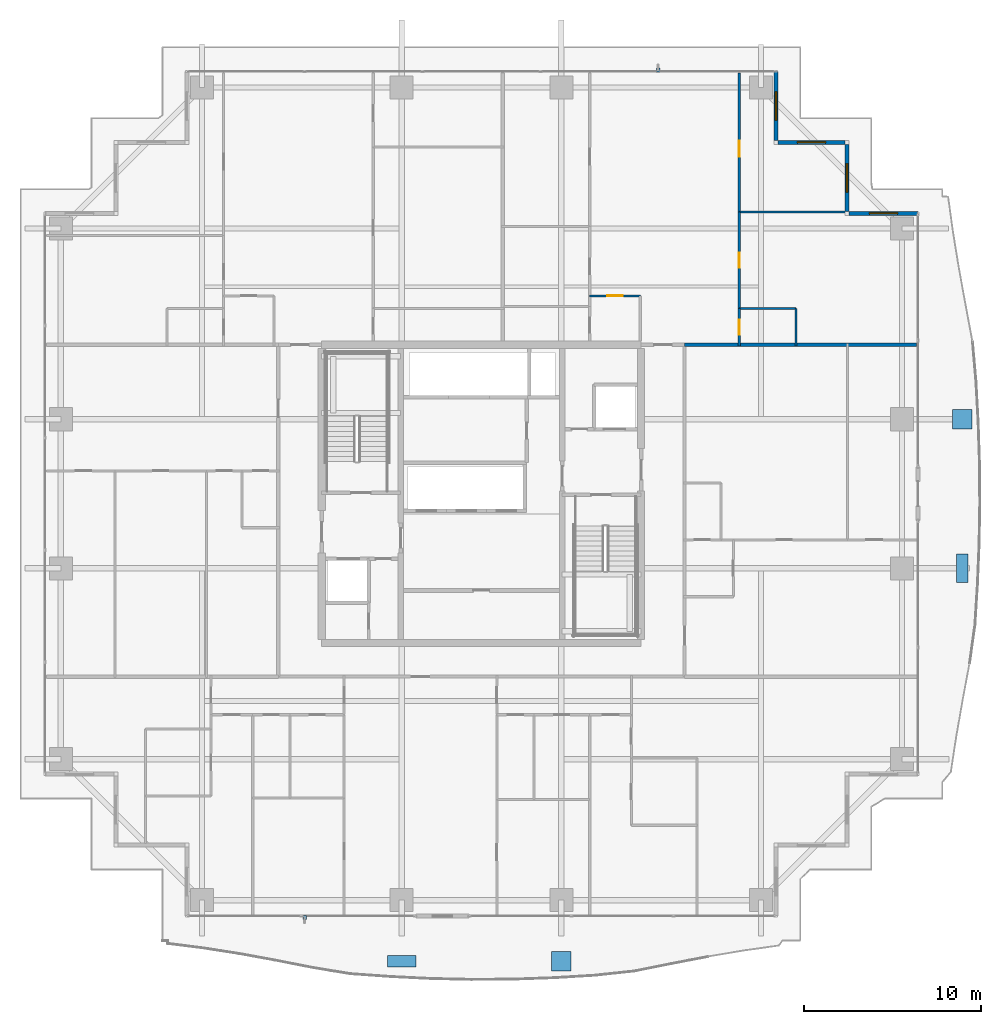
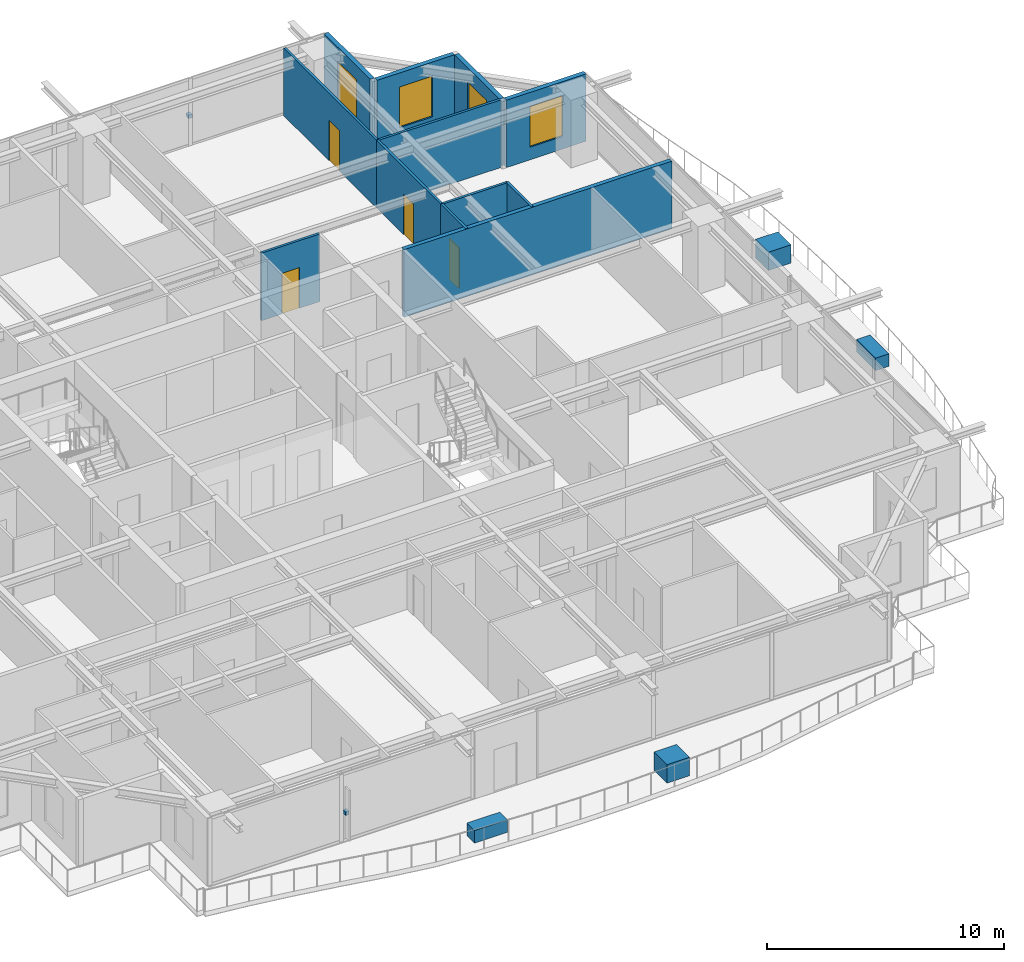
# One storey, part 30 of 36: 12 walls, 6 discrete accessories, 4 doors, 4 windows, 8 openings.
"""IFC4 building model written with IfcOpenShell, lengths in metres."""

import ifcopenshell
import ifcopenshell.guid

model = None  # the IFC model being written
_history = None  # IfcOwnerHistory: only IFC2X3 demands one
_inside = {}  # id of a spatial element -> (the spatial element, [elements in it])
_under = {}  # id of a project, library or spatial element -> (it, [spatial elements below it])
_declared = {}  # id of a project -> (the project, [libraries it declares])
_typed = {}  # id of a type object -> (the type object, [elements of that type])
_made_of = {}  # id of a material, layer set ... -> (it, [elements and type objects made of it])


def new_model(schema):
    """Start an empty IFC model of exactly this schema.

    Asked for "IFC4X3", IfcOpenShell would pick the latest addendum, in which some entities
    have other attributes; the version numbers below select the first issue.
    IFC2X3 requires an IfcOwnerHistory on every rooted entity: one is made here for all.
    """
    global model, _history
    if schema == "IFC4X3":
        model = ifcopenshell.file(schema_version=(4, 3, 0, 0))
    else:
        model = ifcopenshell.file(schema=schema)
    _inside.clear()
    _under.clear()
    _declared.clear()
    _typed.clear()
    _made_of.clear()
    _history = None
    if model.schema == "IFC2X3":
        org = make("IfcOrganization", Name="unknown")
        user = make(
            "IfcPersonAndOrganization",
            ThePerson=make("IfcPerson", FamilyName="unknown"),
            TheOrganization=org,
        )
        app = make(
            "IfcApplication",
            ApplicationDeveloper=org,
            Version="unknown",
            ApplicationFullName="unknown",
            ApplicationIdentifier="unknown",
        )
        _history = make(
            "IfcOwnerHistory",
            OwningUser=user,
            OwningApplication=app,
            ChangeAction="ADDED",
            CreationDate=0,
        )
    return model


def make(cls, **values):
    """One entity of the class cls with the attributes given. An attribute that is None is left unset."""
    return model.create_entity(
        cls, **{name: value for name, value in values.items() if value is not None}
    )


def rooted(cls, **values):
    """An entity with a GlobalId (a new one), such as an element, a storey or a relation."""
    return make(cls, GlobalId=ifcopenshell.guid.new(), OwnerHistory=_history, **values)


def si_unit(unit_type, name, prefix=None):
    """IfcSIUnit, for example si_unit("LENGTHUNIT", "METRE", prefix="MILLI")."""
    return make("IfcSIUnit", UnitType=unit_type, Prefix=prefix, Name=name)


def assignment(units):
    """IfcUnitAssignment: the units of a project."""
    return None if units is None else make("IfcUnitAssignment", Units=units)


def point(xyz):
    """IfcCartesianPoint."""
    return None if xyz is None else make("IfcCartesianPoint", Coordinates=xyz)


def direction(xyz):
    """IfcDirection."""
    return None if xyz is None else make("IfcDirection", DirectionRatios=xyz)


def frame(location, z_axis=None, x_axis=None):
    """IfcAxis2Placement3D, a coordinate frame: its origin and axes. An axis left out is left unset."""
    return make(
        "IfcAxis2Placement3D",
        Location=point(location),
        Axis=direction(z_axis),
        RefDirection=direction(x_axis),
    )


def frame_2d(location, x_axis=None):
    """IfcAxis2Placement2D, a coordinate frame in the plane: its origin and x axis."""
    return make(
        "IfcAxis2Placement2D", Location=point(location), RefDirection=direction(x_axis)
    )


def origin():
    """The frame at (0, 0, 0) with its axes left unset."""
    return frame((0.0, 0.0, 0.0))


def origin_2d():
    """The frame at (0, 0) in the plane with its x axis left unset."""
    return frame_2d((0.0, 0.0))


def place(relative_to, where):
    """IfcLocalPlacement: puts the frame where relative to a parent placement (None: the world)."""
    return make(
        "IfcLocalPlacement", PlacementRelTo=relative_to, RelativePlacement=where
    )


def context(
    kind, dimensions, precision=None, world=None, true_north=None, identifier=None
):
    """IfcGeometricRepresentationContext, for example the 3D "Model" context."""
    return make(
        "IfcGeometricRepresentationContext",
        ContextIdentifier=identifier,
        ContextType=kind,
        CoordinateSpaceDimension=dimensions,
        Precision=precision,
        WorldCoordinateSystem=world,
        TrueNorth=true_north,
    )


def subcontext(parent, identifier, kind, view, scale=None):
    """IfcGeometricRepresentationSubContext, for example "Body" below "Model"."""
    return make(
        "IfcGeometricRepresentationSubContext",
        ContextIdentifier=identifier,
        ContextType=kind,
        ParentContext=parent,
        TargetScale=scale,
        TargetView=view,
    )


def project(units=None, contexts=None):
    """IfcProject with its units and contexts."""
    return rooted(
        "IfcProject",
        Name="project",
        RepresentationContexts=contexts,
        UnitsInContext=assignment(units),
    )


def spatial(cls, under=None, at=None, **own):
    """A site, building, storey or space (cls), placed at a placement, below another one or the project."""
    s = rooted(cls, ObjectPlacement=at, **own)
    if under is not None:
        _under.setdefault(under.id(), (under, []))[1].append(s)
    return s


def profile(cls, at=None, kind="AREA", **sizes):
    """A parametric profile (cls). Its sizes go by their IFC names, for example OverallWidth=200.0."""
    return make(cls, ProfileType=kind, Position=at, **sizes)


def rectangle(**sizes):
    """IfcRectangleProfileDef."""
    return profile("IfcRectangleProfileDef", **sizes)


def extrude(swept, where, along, depth):
    """IfcExtrudedAreaSolid: the profile swept, set in the frame where, extruded along a direction by depth."""
    return make(
        "IfcExtrudedAreaSolid",
        SweptArea=swept,
        Position=where,
        ExtrudedDirection=direction(along),
        Depth=depth,
    )


def shape(context_of_items, identifier, shape_type, items):
    """IfcShapeRepresentation: the items that make up one representation, for example the "Body"."""
    return make(
        "IfcShapeRepresentation",
        ContextOfItems=context_of_items,
        RepresentationIdentifier=identifier,
        RepresentationType=shape_type,
        Items=items,
    )


def source(mapping_origin, context_of_items, identifier, shape_type, items):
    """IfcRepresentationMap: a shape defined once, which mapped items show again and again."""
    return make(
        "IfcRepresentationMap",
        MappingOrigin=mapping_origin,
        MappedRepresentation=shape(context_of_items, identifier, shape_type, items),
    )


def transform(
    local_origin,
    x_axis=None,
    y_axis=None,
    z_axis=None,
    scale=None,
    scale2=None,
    scale3=None,
    uniform=True,
):
    """IfcCartesianTransformationOperator3D, or its non-uniform kind. x_axis, y_axis, z_axis: its Axis1, 2, 3."""
    if uniform:
        return make(
            "IfcCartesianTransformationOperator3D",
            Axis1=direction(x_axis),
            Axis2=direction(y_axis),
            LocalOrigin=point(local_origin),
            Scale=scale,
            Axis3=direction(z_axis),
        )
    return make(
        "IfcCartesianTransformationOperator3DnonUniform",
        Axis1=direction(x_axis),
        Axis2=direction(y_axis),
        LocalOrigin=point(local_origin),
        Scale=scale,
        Axis3=direction(z_axis),
        Scale2=scale2,
        Scale3=scale3,
    )


def mapped(mapping_source, mapping_target):
    """IfcMappedItem: shows the shape of a source again, moved by a transform."""
    return make(
        "IfcMappedItem", MappingSource=mapping_source, MappingTarget=mapping_target
    )


def material(Name=None, Category=None):
    """IfcMaterial."""
    return make("IfcMaterial", Name=Name, Category=Category)


def layer(
    of_material, thickness, ventilated=None, Name=None, Category=None, Priority=None
):
    """IfcMaterialLayer: one layer of a wall or slab, of a material (None: an air gap)."""
    return make(
        "IfcMaterialLayer",
        Material=of_material,
        LayerThickness=thickness,
        IsVentilated=ventilated,
        Name=Name,
        Category=Category,
        Priority=Priority,
    )


def layer_set(layers, Name=None):
    """IfcMaterialLayerSet."""
    return make("IfcMaterialLayerSet", MaterialLayers=layers, LayerSetName=Name)


def made_of(thing, what):
    """Note that an element or type object is made of a material, layer set ...; save() writes the relation."""
    if what is not None:
        _made_of.setdefault(what.id(), (what, []))[1].append(thing)
    return thing


def type_object(cls, material=None, **own):
    """A type object (cls), such as IfcWallType, which elements share."""
    return made_of(rooted(cls, **own), material)


def element(
    cls,
    number,
    at=None,
    inside=None,
    cuts=None,
    type_object=None,
    material=None,
    context=None,
    identifier="Body",
    shape_type=None,
    held_by="IfcProductDefinitionShape",
    body=None,
    shapes=None,
    **own,
):
    """One element of the class cls, such as IfcWall. Its Tag is "e" and its number.

    at: its placement. inside: the storey or other place that contains it. cuts: it is an
    opening in that element (IfcRelVoidsElement). A single representation is given by context,
    identifier, shape_type and body (its items); several are given by shapes. held_by: the class
    of the entity that holds the representations. save() writes the other relations.
    """
    e = rooted(cls, Tag="e%d" % number, ObjectPlacement=at, **own)
    if body is not None:
        shapes = [shape(context, identifier, shape_type, body)]
    if shapes is not None:
        e.Representation = make(held_by, Representations=shapes)
    if inside is not None:
        _inside.setdefault(inside.id(), (inside, []))[1].append(e)
    if cuts is not None:
        rooted(
            "IfcRelVoidsElement", RelatingBuildingElement=cuts, RelatedOpeningElement=e
        )
    if type_object is not None:
        _typed.setdefault(type_object.id(), (type_object, []))[1].append(e)
    return made_of(e, material)


def fill(opening, filler):
    """IfcRelFillsElement: the door or window that sits in an opening."""
    return rooted(
        "IfcRelFillsElement",
        RelatingOpeningElement=opening,
        RelatedBuildingElement=filler,
    )


def aggregate(whole, parts):
    """IfcRelAggregates: a whole, such as a stair, and the parts it consists of."""
    return rooted("IfcRelAggregates", RelatingObject=whole, RelatedObjects=parts)


def save(model, path):
    """Write the relations noted so far, then the file.

    IfcRelAggregates (storeys below a building ...), IfcRelContainedInSpatialStructure (elements
    in a storey), IfcRelDefinesByType, IfcRelAssociatesMaterial and IfcRelDeclares: one each for
    every whole, place, type object, material and project.
    """
    for whole, parts in _under.values():
        aggregate(whole, parts)
    for where, things in _inside.values():
        rooted(
            "IfcRelContainedInSpatialStructure",
            RelatedElements=things,
            RelatingStructure=where,
        )
    for kind, things in _typed.values():
        rooted("IfcRelDefinesByType", RelatedObjects=things, RelatingType=kind)
    for what, things in _made_of.values():
        rooted("IfcRelAssociatesMaterial", RelatedObjects=things, RelatingMaterial=what)
    for by, libraries in _declared.values():
        rooted("IfcRelDeclares", RelatingContext=by, RelatedDefinitions=libraries)
    model.write(path)


model = new_model("IFC4")

# Units and contexts
model_context = context("Model", 3, precision=1e-05, world=origin(), true_north=direction((0.0, 1.0)))
body_context = subcontext(model_context, "Body", "Model", "MODEL_VIEW")
ifc_project = project(units=[si_unit("LENGTHUNIT", "METRE"), si_unit("AREAUNIT", "SQUARE_METRE"), si_unit("VOLUMEUNIT", "CUBIC_METRE"), si_unit("PLANEANGLEUNIT", "RADIAN"), si_unit("MASSUNIT", "GRAM", prefix="KILO")], contexts=[model_context])

# Site, building, storey
site_placement = place(None, origin())
site = spatial("IfcSite", under=ifc_project, at=site_placement, CompositionType="ELEMENT")
building_placement = place(site_placement, origin())
building = spatial("IfcBuilding", under=site, at=building_placement, Name="Serunith Strait Residences", CompositionType="ELEMENT")
storey_placement = place(building_placement, frame((0.0, 0.0, 146.39990234375)))
storey = spatial("IfcBuildingStorey", under=building, at=storey_placement, Name="L36", CompositionType="ELEMENT", Elevation=146.39990234375)

# Wall, opening, window
ifc_material_1 = material(Name="Pale-Champagne Aluminium Insulated Panel", Category="aluminium")
ifc_layer_1 = layer(ifc_material_1, 0.219970703125, Name="Pale-Champagne Aluminium Insulated Panel")
ifc_layer_set_1 = layer_set([ifc_layer_1], Name="Pale-Champagne Aluminium Insulated Panel")
wall_type_1 = type_object("IfcWallType", Name="EW-ALUM-220", PredefinedType="ELEMENTEDWALL", material=ifc_layer_set_1)
wall_1_placement = place(storey_placement, frame((57.0, 41.0, 0.0), z_axis=(0.0, 0.0, 1.0), x_axis=(-1.0, 0.0, 0.0)))
wall_1 = element("IfcWall", 1, at=wall_1_placement, inside=storey, type_object=wall_type_1, Name="L36 Girih Serrated Corner Wall 07", PredefinedType="ELEMENTEDWALL", context=body_context, shape_type="SweptSolid", body=[
    extrude(rectangle(XDim=3.889892578125, YDim=0.219970703125, at=frame_2d((1.94482421875, 0.0))), origin(), (0.0, 0.0, 1.0), 3.47509765625),
])
opening_1_placement = place(wall_1_placement, frame((1.14501953125, 0.0, 0.64990234375)))
opening_1 = element("IfcOpeningElement", 2, at=opening_1_placement, cuts=wall_1, Name="Opening W-02", PredefinedType="OPENING", context=body_context, shape_type="SweptSolid", body=[
    extrude(rectangle(XDim=1.60009765625, YDim=2.10009765625, at=frame_2d((0.800048828125, 1.050048828125))), frame((0.0, 0.1201171875, 0.0), z_axis=(0.0, -1.0, 0.0), x_axis=(1.0, 0.0, 0.0)), (0.0, 0.0, 1.0), 0.239990234375),
])
ifc_material_2 = material(Name="Ceramic-Fritted Operable Aluminium Window Glass", Category="aluminium")
window_type = type_object("IfcWindowType", Name="WIN-C2", PartitioningType="DOUBLE_PANEL_VERTICAL", PredefinedType="WINDOW", material=ifc_material_2)
shared_shape_1 = source(origin(), body_context, "Body", "SweptSolid", [
    extrude(rectangle(XDim=1.60009765625, YDim=2.10009765625, at=frame_2d((0.800048828125, 1.050048828125))), frame((0.0, 0.030029296875, 0.0), z_axis=(0.0, -1.0, 0.0), x_axis=(1.0, 0.0, 0.0)), (0.0, 0.0, 1.0), 0.06005859375),
])
window_1_placement = place(opening_1_placement, origin())
window_1 = element("IfcWindow", 3, at=window_1_placement, inside=storey, type_object=window_type, Name="L36 Corner Operable Fritted Window 07", OverallHeight=2.10009765625, OverallWidth=1.60009765625, PartitioningType="SINGLE_PANEL", PredefinedType="WINDOW", context=body_context, shape_type="MappedRepresentation", body=[
    mapped(shared_shape_1, transform((0.0, 0.0, 0.0), scale=1.0)),
])
fill(opening_1, window_1)

wall_2_placement = place(storey_placement, frame((53.0, 41.110107421875, 0.0), z_axis=(0.0, 0.0, 1.0), x_axis=(0.0, 1.0, 0.0)))
wall_2 = element("IfcWall", 4, at=wall_2_placement, inside=storey, type_object=wall_type_1, Name="L36 Girih Serrated Corner Wall 08", PredefinedType="ELEMENTEDWALL", context=body_context, shape_type="SweptSolid", body=[
    extrude(rectangle(XDim=3.77978515625, YDim=0.219970703125, at=frame_2d((1.889892578125, 0.0))), origin(), (0.0, 0.0, 1.0), 3.47509765625),
])
opening_2_placement = place(wall_2_placement, frame((1.090087890625, 0.0, 0.64990234375)))
opening_2 = element("IfcOpeningElement", 5, at=opening_2_placement, cuts=wall_2, Name="Opening W-02", PredefinedType="OPENING", context=body_context, shape_type="SweptSolid", body=[
    extrude(rectangle(XDim=1.60009765625, YDim=2.10009765625, at=frame_2d((0.800048828125, 1.050048828125))), frame((0.0, 0.1201171875, 0.0), z_axis=(0.0, -1.0, 0.0), x_axis=(1.0, 0.0, 0.0)), (0.0, 0.0, 1.0), 0.239990234375),
])
window_2_placement = place(opening_2_placement, origin())
window_2 = element("IfcWindow", 6, at=window_2_placement, inside=storey, type_object=window_type, Name="L36 Corner Operable Fritted Window 08", OverallHeight=2.10009765625, OverallWidth=1.60009765625, PartitioningType="SINGLE_PANEL", PredefinedType="WINDOW", context=body_context, shape_type="MappedRepresentation", body=[
    mapped(shared_shape_1, transform((0.0, 0.0, 0.0), scale=1.0)),
])
fill(opening_2, window_2)

wall_3_placement = place(storey_placement, frame((52.889892578125, 45.0, 0.0), z_axis=(0.0, 0.0, 1.0), x_axis=(-1.0, 0.0, 0.0)))
wall_3 = element("IfcWall", 7, at=wall_3_placement, inside=storey, type_object=wall_type_1, Name="L36 Girih Serrated Corner Wall 09", PredefinedType="ELEMENTEDWALL", context=body_context, shape_type="SweptSolid", body=[
    extrude(rectangle(XDim=3.77978515625, YDim=0.219970703125, at=frame_2d((1.889892578125, 0.0))), origin(), (0.0, 0.0, 1.0), 3.47509765625),
])
opening_3_placement = place(wall_3_placement, frame((1.090087890625, 0.0, 0.64990234375)))
opening_3 = element("IfcOpeningElement", 8, at=opening_3_placement, cuts=wall_3, Name="Opening W-02", PredefinedType="OPENING", context=body_context, shape_type="SweptSolid", body=[
    extrude(rectangle(XDim=1.60009765625, YDim=2.10009765625, at=frame_2d((0.800048828125, 1.050048828125))), frame((0.0, 0.1201171875, 0.0), z_axis=(0.0, -1.0, 0.0), x_axis=(1.0, 0.0, 0.0)), (0.0, 0.0, 1.0), 0.239990234375),
])
window_3_placement = place(opening_3_placement, origin())
window_3 = element("IfcWindow", 9, at=window_3_placement, inside=storey, type_object=window_type, Name="L36 Corner Operable Fritted Window 09", OverallHeight=2.10009765625, OverallWidth=1.60009765625, PartitioningType="SINGLE_PANEL", PredefinedType="WINDOW", context=body_context, shape_type="MappedRepresentation", body=[
    mapped(shared_shape_1, transform((0.0, 0.0, 0.0), scale=1.0)),
])
fill(opening_3, window_3)

wall_4_placement = place(storey_placement, frame((49.0, 45.110107421875, 0.0), z_axis=(0.0, 0.0, 1.0), x_axis=(0.0, 1.0, 0.0)))
wall_4 = element("IfcWall", 10, at=wall_4_placement, inside=storey, type_object=wall_type_1, Name="L36 Girih Serrated Corner Wall 10", PredefinedType="ELEMENTEDWALL", context=body_context, shape_type="SweptSolid", body=[
    extrude(rectangle(XDim=3.889892578125, YDim=0.219970703125, at=frame_2d((1.94482421875, 0.0))), origin(), (0.0, 0.0, 1.0), 3.47509765625),
])
opening_4_placement = place(wall_4_placement, frame((1.14501953125, 0.0, 0.64990234375)))
opening_4 = element("IfcOpeningElement", 11, at=opening_4_placement, cuts=wall_4, Name="Opening W-02", PredefinedType="OPENING", context=body_context, shape_type="SweptSolid", body=[
    extrude(rectangle(XDim=1.60009765625, YDim=2.10009765625, at=frame_2d((0.800048828125, 1.050048828125))), frame((0.0, 0.1201171875, 0.0), z_axis=(0.0, -1.0, 0.0), x_axis=(1.0, 0.0, 0.0)), (0.0, 0.0, 1.0), 0.239990234375),
])
window_4_placement = place(opening_4_placement, origin())
window_4 = element("IfcWindow", 12, at=window_4_placement, inside=storey, type_object=window_type, Name="L36 Corner Operable Fritted Window 10", OverallHeight=2.10009765625, OverallWidth=1.60009765625, PartitioningType="SINGLE_PANEL", PredefinedType="WINDOW", context=body_context, shape_type="MappedRepresentation", body=[
    mapped(shared_shape_1, transform((0.0, 0.0, 0.0), scale=1.0)),
])
fill(opening_4, window_4)

# Wall, opening, door
ifc_material_3 = material(Name="Lightweight steel-stud gypsum partition", Category="steel")
ifc_layer_2 = layer(ifc_material_3, 0.1201171875, Name="Lightweight steel-stud gypsum partition")
ifc_layer_set_2 = layer_set([ifc_layer_2], Name="Lightweight steel-stud gypsum partition")
wall_type_2 = type_object("IfcWallType", Name="IW-PART-120", PredefinedType="PARTITIONING", material=ifc_layer_set_2)
wall_5_placement = place(storey_placement, frame((38.5, 36.35009765625, 0.0), z_axis=(0.0, 0.0, 1.0), x_axis=(1.0, 0.0, 0.0)))
wall_5 = element("IfcWall", 13, at=wall_5_placement, inside=storey, type_object=wall_type_2, Name="L36 Partition Wall 068", PredefinedType="PARTITIONING", context=body_context, shape_type="SweptSolid", body=[
    extrude(rectangle(XDim=2.85009765625, YDim=0.1201171875, at=frame_2d((1.425048828125, 0.0))), origin(), (0.0, 0.0, 1.0), 3.489990234375),
])
opening_5_placement = place(wall_5_placement, frame((1.0, 0.0, 0.0)))
opening_5 = element("IfcOpeningElement", 14, at=opening_5_placement, cuts=wall_5, Name="Opening D-RM850", PredefinedType="OPENING", context=body_context, shape_type="SweptSolid", body=[
    extrude(rectangle(XDim=0.85009765625, YDim=2.10009765625, at=frame_2d((0.425048828125, 1.050048828125))), frame((0.0, 0.070068359375, 0.0), z_axis=(0.0, -1.0, 0.0), x_axis=(1.0, 0.0, 0.0)), (0.0, 0.0, 1.0), 0.14013671875),
])
ifc_material_4 = material(Name="Engineered timber flush study and kitchen door", Category="wood")
door_type_1 = type_object("IfcDoorType", Name="ID-ROOM-850", OperationType="NOTDEFINED", PredefinedType="DOOR", material=ifc_material_4)
shared_shape_2 = source(origin(), body_context, "Body", "SweptSolid", [
    extrude(rectangle(XDim=0.85009765625, YDim=2.10009765625, at=frame_2d((0.425048828125, 1.050048828125))), frame((0.0, 0.02490234375, 0.0), z_axis=(0.0, -1.0, 0.0), x_axis=(1.0, 0.0, 0.0)), (0.0, 0.0, 1.0), 0.050048828125),
])
door_1_placement = place(opening_5_placement, origin())
door_1 = element("IfcDoor", 15, at=door_1_placement, inside=storey, type_object=door_type_1, Name="L36 Kitchen 3603 Door", OperationType="SINGLE_SWING_LEFT", OverallHeight=2.10009765625, OverallWidth=0.85009765625, PredefinedType="DOOR", context=body_context, shape_type="MappedRepresentation", body=[
    mapped(shared_shape_2, transform((0.0, 0.0, 0.0), scale=1.0)),
])
fill(opening_5, door_1)

wall_6_placement = place(storey_placement, frame((46.929931640625, 48.905029296875, 0.0), z_axis=(0.0, 0.0, 1.0), x_axis=(0.0, -1.0, 0.0)))
wall_6 = element("IfcWall", 16, at=wall_6_placement, inside=storey, type_object=wall_type_2, Name="L36 Partition Wall 075", PredefinedType="PARTITIONING", context=body_context, shape_type="SweptSolid", body=[
    extrude(rectangle(XDim=7.830078125, YDim=0.1201171875, at=frame_2d((3.9150390625, 0.0))), origin(), (0.0, 0.0, 1.0), 3.489990234375),
])
opening_6_placement = place(wall_6_placement, frame((3.81103515625, 0.0, 0.0)))
opening_6 = element("IfcOpeningElement", 17, at=opening_6_placement, cuts=wall_6, Name="Opening D-RM900", PredefinedType="OPENING", context=body_context, shape_type="SweptSolid", body=[
    extrude(rectangle(XDim=0.89990234375, YDim=2.10009765625, at=frame_2d((0.449951171875, 1.050048828125))), frame((0.0, 0.070068359375, 0.0), z_axis=(0.0, -1.0, 0.0), x_axis=(1.0, 0.0, 0.0)), (0.0, 0.0, 1.0), 0.14013671875),
])
ifc_material_5 = material(Name="Engineered timber flush bedroom door", Category="wood")
door_type_2 = type_object("IfcDoorType", Name="ID-ROOM-900", OperationType="NOTDEFINED", PredefinedType="DOOR", material=ifc_material_5)
shared_shape_3 = source(origin(), body_context, "Body", "SweptSolid", [
    extrude(rectangle(XDim=0.89990234375, YDim=2.10009765625, at=frame_2d((0.449951171875, 1.050048828125))), frame((0.0, 0.02490234375, 0.0), z_axis=(0.0, -1.0, 0.0), x_axis=(1.0, 0.0, 0.0)), (0.0, 0.0, 1.0), 0.050048828125),
])
door_2_placement = place(opening_6_placement, origin())
door_2 = element("IfcDoor", 18, at=door_2_placement, inside=storey, type_object=door_type_2, Name="L36 Bedroom 2 3603 Door", OperationType="SINGLE_SWING_LEFT", OverallHeight=2.10009765625, OverallWidth=0.89990234375, PredefinedType="DOOR", context=body_context, shape_type="MappedRepresentation", body=[
    mapped(shared_shape_3, transform((0.0, 0.0, 0.0), scale=1.0)),
])
fill(opening_6, door_2)

# Walls
wall_7_placement = place(storey_placement, frame((46.929931640625, 41.074951171875, 0.0), z_axis=(0.0, 0.0, 1.0), x_axis=(1.0, 0.0, 0.0)))
element("IfcWall", 19, at=wall_7_placement, inside=storey, type_object=wall_type_2, Name="L36 Partition Wall 076", PredefinedType="PARTITIONING", context=body_context, shape_type="SweptSolid", body=[
    extrude(rectangle(XDim=5.97509765625, YDim=0.1201171875, at=frame_2d((2.987548828125, 0.0))), origin(), (0.0, 0.0, 1.0), 3.489990234375),
])
wall_8_placement = place(storey_placement, frame((46.929931640625, 35.64990234375, 0.0), z_axis=(0.0, 0.0, 1.0), x_axis=(1.0, 0.0, 0.0)))
element("IfcWall", 20, at=wall_8_placement, inside=storey, type_object=wall_type_2, Name="L36 Partition Wall 077", PredefinedType="PARTITIONING", context=body_context, shape_type="SweptSolid", body=[
    extrude(rectangle(XDim=3.199951171875, YDim=0.1201171875, at=frame_2d((1.60009765625, 0.0))), origin(), (0.0, 0.0, 1.0), 3.489990234375),
])
wall_9_placement = place(storey_placement, frame((50.1298828125, 35.64990234375, 0.0), z_axis=(0.0, 0.0, 1.0), x_axis=(0.0, -1.0, 0.0)))
element("IfcWall", 21, at=wall_9_placement, inside=storey, type_object=wall_type_2, Name="L36 Partition Wall 078", PredefinedType="PARTITIONING", context=body_context, shape_type="SweptSolid", body=[
    extrude(rectangle(XDim=2.10986328125, YDim=0.1201171875, at=frame_2d((1.054931640625, 0.0))), origin(), (0.0, 0.0, 1.0), 3.489990234375),
])

# Wall, opening, door
wall_10_placement = place(storey_placement, frame((46.929931640625, 41.072998046875, 0.0), z_axis=(0.0, 0.0, 1.0), x_axis=(0.0, -1.0, 0.0)))
wall_10 = element("IfcWall", 22, at=wall_10_placement, inside=storey, type_object=wall_type_2, Name="L36 Partition Wall 079", PredefinedType="PARTITIONING", context=body_context, shape_type="SweptSolid", body=[
    extrude(rectangle(XDim=5.423095703125, YDim=0.1201171875, at=frame_2d((2.71142578125, 0.0))), origin(), (0.0, 0.0, 1.0), 3.489990234375),
])
opening_7_placement = place(wall_10_placement, frame((2.287109375, 0.0, 0.0)))
opening_7 = element("IfcOpeningElement", 23, at=opening_7_placement, cuts=wall_10, Name="Opening D-RM850", PredefinedType="OPENING", context=body_context, shape_type="SweptSolid", body=[
    extrude(rectangle(XDim=0.85009765625, YDim=2.10009765625, at=frame_2d((0.425048828125, 1.050048828125))), frame((0.0, 0.070068359375, 0.0), z_axis=(0.0, -1.0, 0.0), x_axis=(1.0, 0.0, 0.0)), (0.0, 0.0, 1.0), 0.14013671875),
])
door_3_placement = place(opening_7_placement, origin())
door_3 = element("IfcDoor", 24, at=door_3_placement, inside=storey, type_object=door_type_1, Name="L36 Walk-in Wardrobe 3603 Door", OperationType="SINGLE_SWING_RIGHT", OverallHeight=2.10009765625, OverallWidth=0.85009765625, PredefinedType="DOOR", context=body_context, shape_type="MappedRepresentation", body=[
    mapped(shared_shape_2, transform((0.0, 0.0, 0.0), scale=1.0)),
])
fill(opening_7, door_3)

wall_11_placement = place(storey_placement, frame((46.929931640625, 35.64794921875, 0.0), z_axis=(0.0, 0.0, 1.0), x_axis=(0.0, -1.0, 0.0)))
wall_11 = element("IfcWall", 25, at=wall_11_placement, inside=storey, type_object=wall_type_2, Name="L36 Partition Wall 080", PredefinedType="PARTITIONING", context=body_context, shape_type="SweptSolid", body=[
    extrude(rectangle(XDim=2.10791015625, YDim=0.1201171875, at=frame_2d((1.053955078125, 0.0))), origin(), (0.0, 0.0, 1.0), 3.489990234375),
])
opening_8_placement = place(wall_11_placement, frame((0.62890625, 0.0, 0.0)))
opening_8 = element("IfcOpeningElement", 26, at=opening_8_placement, cuts=wall_11, Name="Opening D-BTH850", PredefinedType="OPENING", context=body_context, shape_type="SweptSolid", body=[
    extrude(rectangle(XDim=0.85009765625, YDim=2.10009765625, at=frame_2d((0.425048828125, 1.050048828125))), frame((0.0, 0.070068359375, 0.0), z_axis=(0.0, -1.0, 0.0), x_axis=(1.0, 0.0, 0.0)), (0.0, 0.0, 1.0), 0.14013671875),
])
ifc_material_6 = material(Name="Moisture-resistant timber bathroom door", Category="wood")
door_type_3 = type_object("IfcDoorType", Name="ID-BATH-850", OperationType="NOTDEFINED", PredefinedType="DOOR", material=ifc_material_6)
door_4_placement = place(opening_8_placement, origin())
door_4 = element("IfcDoor", 27, at=door_4_placement, inside=storey, type_object=door_type_3, Name="L36 Bathroom 3603 Door", OperationType="SINGLE_SWING_LEFT", OverallHeight=2.10009765625, OverallWidth=0.85009765625, PredefinedType="DOOR", context=body_context, shape_type="MappedRepresentation", body=[
    mapped(shared_shape_2, transform((0.0, 0.0, 0.0), scale=1.0)),
])
fill(opening_8, door_4)

# Wall
ifc_material_7 = material(Name="Twin-stud acoustic gypsum board partition")
ifc_layer_3 = layer(ifc_material_7, 0.199951171875, Name="Twin-stud acoustic gypsum board partition")
ifc_layer_set_3 = layer_set([ifc_layer_3], Name="Twin-stud acoustic gypsum board partition")
wall_type_3 = type_object("IfcWallType", Name="IW-PARTY-200", PredefinedType="PARTITIONING", material=ifc_layer_set_3)
wall_12_placement = place(storey_placement, frame((43.85009765625, 33.60009765625, 0.0), z_axis=(0.0, 0.0, 1.0), x_axis=(1.0, 0.0, 0.0)))
element("IfcWall", 28, at=wall_12_placement, inside=storey, type_object=wall_type_3, Name="L36 Partition Wall 019", PredefinedType="PARTITIONING", context=body_context, shape_type="SweptSolid", body=[
    extrude(rectangle(XDim=13.06787109375, YDim=0.199951171875, at=frame_2d((6.533935546875, 0.0))), origin(), (0.0, 0.0, 1.0), 3.489990234375),
])

# Discrete accessories
ifc_material_8 = material(Name="GFRC Root-Anchored Structural Planter")
discrete_accessory_type_1 = type_object("IfcDiscreteAccessoryType", Name="ACC-PLANTER-TREE", PredefinedType="USERDEFINED", material=ifc_material_8)
shared_shape_4 = source(origin(), body_context, "Body", "SweptSolid", [
    extrude(rectangle(XDim=1.10009765625, YDim=1.10009765625, at=origin_2d()), origin(), (0.0, 0.0, 1.0), 0.949951171875),
])
for number, where, z_axis, x_axis, name in (
    (29, (36.89990234375, -1.154052734375, -0.0498046875), (0.0, 0.0, 1.0), (1.0, 0.0, 0.0), "L36 Vertical-Forest Tree Planter 03"),
    (30, (59.492919921875, 29.39990234375, -0.0498046875), (0.0, 0.0, 1.0), (0.0, 1.0, 0.0), "L36 Vertical-Forest Tree Planter 11"),
):
    element("IfcDiscreteAccessory", number, at=place(storey_placement, frame(where, z_axis=z_axis, x_axis=x_axis)), inside=storey, type_object=discrete_accessory_type_1, Name=name, ObjectType="PLANTER", PredefinedType="USERDEFINED", context=body_context, shape_type="MappedRepresentation", body=[
        mapped(shared_shape_4, transform((0.0, 0.0, 0.0), scale=1.0)),
    ])
ifc_material_9 = material(Name="GFRC Irrigated Shrub Trough Planter")
discrete_accessory_type_2 = type_object("IfcDiscreteAccessoryType", Name="ACC-PLANTER-SHRUB", PredefinedType="USERDEFINED", material=ifc_material_9)
shared_shape_5 = source(origin(), body_context, "Body", "SweptSolid", [
    extrude(rectangle(XDim=1.60009765625, YDim=0.64990234375, at=origin_2d()), origin(), (0.0, 0.0, 1.0), 0.64990234375),
])
for number, where, z_axis, x_axis, name in (
    (31, (27.89990234375, -1.14306640625, -0.0498046875), (0.0, 0.0, 1.0), (1.0, 0.0, 0.0), "L36 Vertical-Forest Shrub Planter 02"),
    (32, (59.496337890625, 21.0, -0.0498046875), (0.0, 0.0, 1.0), (0.0, 1.0, 0.0), "L36 Vertical-Forest Shrub Planter 10"),
):
    element("IfcDiscreteAccessory", number, at=place(storey_placement, frame(where, z_axis=z_axis, x_axis=x_axis)), inside=storey, type_object=discrete_accessory_type_2, Name=name, ObjectType="PLANTER", PredefinedType="USERDEFINED", context=body_context, shape_type="MappedRepresentation", body=[
        mapped(shared_shape_5, transform((0.0, 0.0, 0.0), scale=1.0)),
    ])
ifc_material_10 = material(Name="Stainless Steel Facade Cleat Bracket", Category="steel")
discrete_accessory_type_3 = type_object("IfcDiscreteAccessoryType", Name="ACC-FIN-BRACKET", PredefinedType="USERDEFINED", material=ifc_material_10)
shared_shape_6 = source(origin(), body_context, "Body", "SweptSolid", [
    extrude(rectangle(XDim=0.179931640625, YDim=0.219970703125, at=origin_2d()), origin(), (0.0, 0.0, 1.0), 0.179931640625),
])
for number, where, z_axis, x_axis, name in (
    (33, (22.43994140625, 1.320068359375, 1.41015625), (0.0, 0.0, 1.0), (1.0, 0.0, 0.0), "L36 Solar Fin Cleat Bracket S"),
    (34, (42.360107421875, 49.080078125, 1.41015625), (0.0, 0.0, 1.0), (1.0, 0.0, 0.0), "L36 Solar Fin Cleat Bracket N"),
):
    element("IfcDiscreteAccessory", number, at=place(storey_placement, frame(where, z_axis=z_axis, x_axis=x_axis)), inside=storey, type_object=discrete_accessory_type_3, Name=name, ObjectType="BRACKET", PredefinedType="USERDEFINED", context=body_context, shape_type="MappedRepresentation", body=[
        mapped(shared_shape_6, transform((0.0, 0.0, 0.0), scale=1.0)),
    ])

save(model, "model.ifc")
